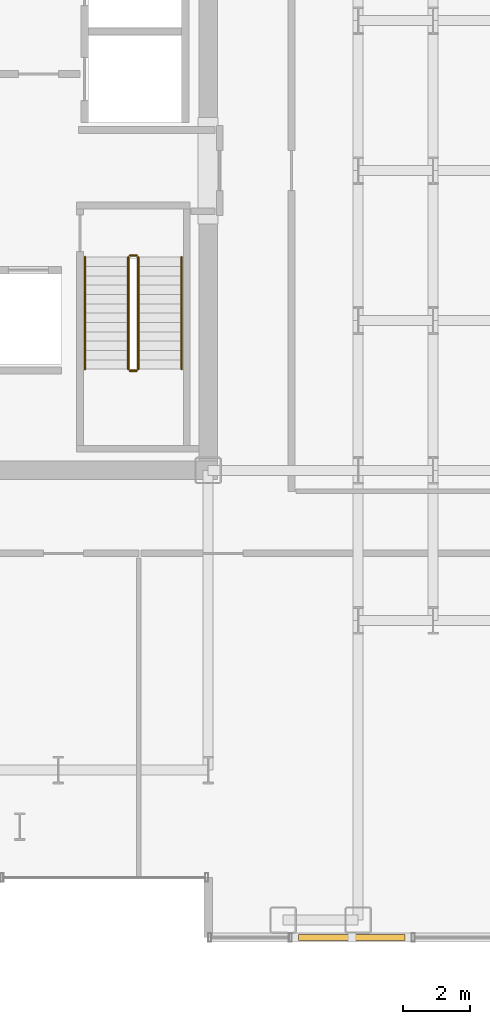
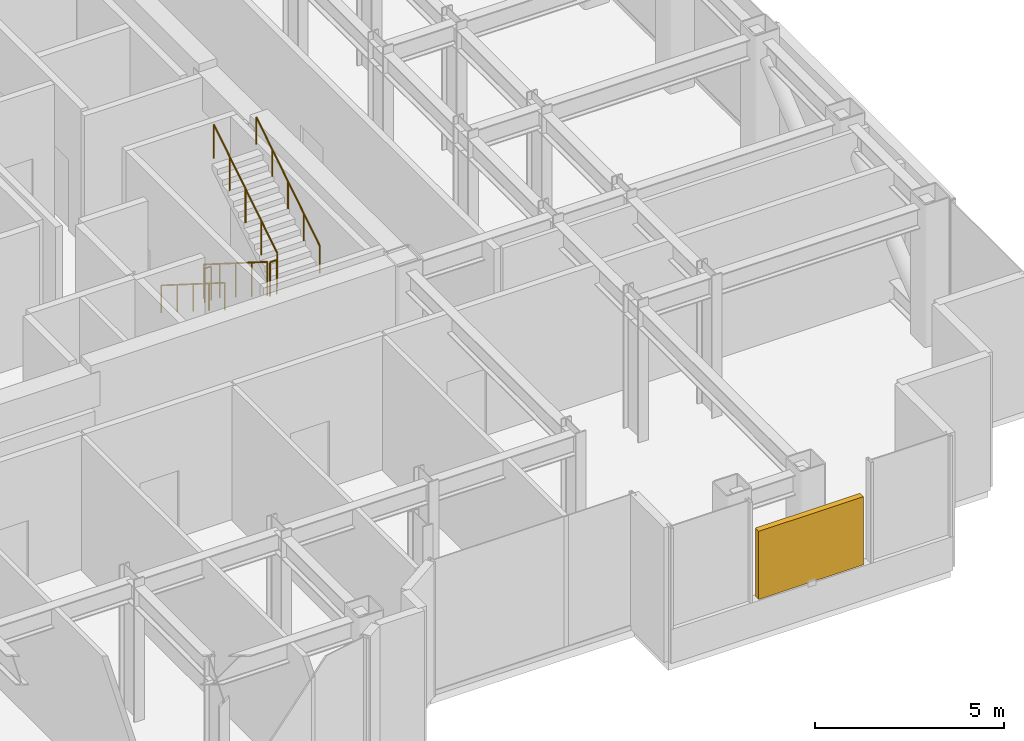
# One storey, part 25 of 26: 6 railings, 1 shading device.
"""IFC4 building model written with IfcOpenShell, lengths in metres."""

from ifc_helpers import new_model, si_unit, direction, frame, origin, origin_2d, place, context, subcontext, project, spatial, rectangle, circle, extrude, source, transform, mapped, material, type_object, element, save


model = new_model("IFC4")

# Units and contexts
model_context = context("Model", 3, precision=1e-05, world=origin(), true_north=direction((0.0, 1.0)))
body_context = subcontext(model_context, "Body", "Model", "MODEL_VIEW")
ifc_project = project(units=[si_unit("LENGTHUNIT", "METRE"), si_unit("AREAUNIT", "SQUARE_METRE"), si_unit("VOLUMEUNIT", "CUBIC_METRE"), si_unit("PLANEANGLEUNIT", "RADIAN"), si_unit("MASSUNIT", "GRAM", prefix="KILO")], contexts=[model_context])

# Site, building, storey
site_placement = place(None, origin())
site = spatial("IfcSite", under=ifc_project, at=site_placement, CompositionType="ELEMENT")
building_placement = place(site_placement, origin())
building = spatial("IfcBuilding", under=site, at=building_placement, Name="Nefas-Gora Pilgrimage Tower", CompositionType="ELEMENT")
storey_placement = place(building_placement, frame((0.0, 0.0, 202.0)))
storey = spatial("IfcBuildingStorey", under=building, at=storey_placement, Name="L50", CompositionType="ELEMENT", Elevation=202.0)

# Railings
ifc_material_1 = material(Name="Painted galvanised steel", Category="steel")
railing_type_1 = type_object("IfcRailingType", Name="RLG-STR-GUARD-1100", PredefinedType="GUARDRAIL", material=ifc_material_1)
railing_1_placement = place(storey_placement, frame((8.85009765625, -2.60009765625, 0.177001953125)))
element("IfcRailing", 1, at=railing_1_placement, inside=storey, type_object=railing_type_1, Name="L50 ST-02 stair guard 1", PredefinedType="GUARDRAIL", context=body_context, shape_type="SweptSolid", body=[
    extrude(circle(Radius=0.02392578125, at=origin_2d()), frame((0.0, 0.0, 1.09619140625), z_axis=(0.0, -0.845372108799, 0.534177870812), x_axis=(1.0, 0.0, 0.0)), (0.0, 0.0, 1.0), 3.974365234375),
    extrude(circle(Radius=0.02099609375, at=origin_2d()), origin(), (0.0, 0.0, 1.0), 1.072021484375),
    extrude(circle(Radius=0.02099609375, at=origin_2d()), frame((0.0, -0.83984375, 0.53076171875)), (0.0, 0.0, 1.0), 1.072021484375),
    extrude(circle(Radius=0.02099609375, at=origin_2d()), frame((0.0, -1.679931640625, 1.0615234375)), (0.0, 0.0, 1.0), 1.072021484375),
    extrude(circle(Radius=0.02099609375, at=origin_2d()), frame((0.0, -2.52001953125, 1.59228515625)), (0.0, 0.0, 1.0), 1.072021484375),
    extrude(circle(Radius=0.02099609375, at=origin_2d()), frame((0.0, -3.35986328125, 2.123046875)), (0.0, 0.0, 1.0), 1.072021484375),
])
railing_2_placement = place(storey_placement, frame((8.89990234375, -6.010009765625, 2.300048828125)))
element("IfcRailing", 2, at=railing_2_placement, inside=storey, type_object=railing_type_1, Name="L50 ST-02 stair guard 2", PredefinedType="GUARDRAIL", context=body_context, shape_type="SweptSolid", body=[
    extrude(circle(Radius=0.02392578125, at=origin_2d()), frame((0.0, 0.0, 1.09619140625), z_axis=(1.0, 0.0, 0.0), x_axis=(0.0, 1.0, 0.0)), (0.0, 0.0, 1.0), 0.2001953125),
    extrude(circle(Radius=0.02099609375, at=origin_2d()), origin(), (0.0, 0.0, 1.0), 1.072021484375),
    extrude(circle(Radius=0.02099609375, at=origin_2d()), frame((0.2001953125, 0.0, 0.0)), (0.0, 0.0, 1.0), 1.072021484375),
])
railing_3_placement = place(storey_placement, frame((9.14990234375, -5.9599609375, 2.476806640625)))
element("IfcRailing", 3, at=railing_3_placement, inside=storey, type_object=railing_type_1, Name="L50 ST-02 stair guard 3", PredefinedType="GUARDRAIL", context=body_context, shape_type="SweptSolid", body=[
    extrude(circle(Radius=0.02392578125, at=origin_2d()), frame((0.0, 0.0, 1.09619140625), z_axis=(0.0, 0.845344368971, 0.534221768416), x_axis=(-1.0, 0.0, 0.0)), (0.0, 0.0, 1.0), 3.974609375),
    extrude(circle(Radius=0.02099609375, at=origin_2d()), origin(), (0.0, 0.0, 1.0), 1.072021484375),
    extrude(circle(Radius=0.02099609375, at=origin_2d()), frame((0.0, 0.83984375, 0.53076171875)), (0.0, 0.0, 1.0), 1.072021484375),
    extrude(circle(Radius=0.02099609375, at=origin_2d()), frame((0.0, 1.679931640625, 1.0615234375)), (0.0, 0.0, 1.0), 1.072021484375),
    extrude(circle(Radius=0.02099609375, at=origin_2d()), frame((0.0, 2.52001953125, 1.592529296875)), (0.0, 0.0, 1.0), 1.072021484375),
    extrude(circle(Radius=0.02099609375, at=origin_2d()), frame((0.0, 3.35986328125, 2.123291015625)), (0.0, 0.0, 1.0), 1.072021484375),
])
railing_4_placement = place(storey_placement, frame((8.89990234375, -2.550048828125, 0.0)))
element("IfcRailing", 4, at=railing_4_placement, inside=storey, type_object=railing_type_1, Name="L50 ST-02 stair guard 4", PredefinedType="GUARDRAIL", context=body_context, shape_type="SweptSolid", body=[
    extrude(circle(Radius=0.02392578125, at=origin_2d()), frame((0.0, 0.0, 1.09619140625), z_axis=(1.0, 0.0, 0.0), x_axis=(0.0, 1.0, 0.0)), (0.0, 0.0, 1.0), 0.2001953125),
    extrude(circle(Radius=0.02099609375, at=origin_2d()), origin(), (0.0, 0.0, 1.0), 1.072021484375),
    extrude(circle(Radius=0.02099609375, at=origin_2d()), frame((0.2001953125, 0.0, 0.0)), (0.0, 0.0, 1.0), 1.072021484375),
])
ifc_material_2 = material(Name="Brushed stainless steel", Category="steel")
railing_type_2 = type_object("IfcRailingType", Name="RLG-STR-HAND-900", PredefinedType="HANDRAIL", material=ifc_material_2)
railing_5_placement = place(storey_placement, frame((7.550048828125, -2.60009765625, 0.177001953125)))
element("IfcRailing", 5, at=railing_5_placement, inside=storey, type_object=railing_type_2, Name="L50 ST-02 stair handrail 1", PredefinedType="HANDRAIL", context=body_context, shape_type="SweptSolid", body=[
    extrude(circle(Radius=0.02392578125, at=origin_2d()), frame((0.0, 0.0, 0.8759765625), z_axis=(0.0, -0.845372108799, 0.534177870812), x_axis=(1.0, 0.0, 0.0)), (0.0, 0.0, 1.0), 3.974365234375),
    extrude(circle(Radius=0.02099609375, at=origin_2d()), origin(), (0.0, 0.0, 1.0), 0.851806640625),
    extrude(circle(Radius=0.02099609375, at=origin_2d()), frame((0.0, -0.83984375, 0.53076171875)), (0.0, 0.0, 1.0), 0.851806640625),
    extrude(circle(Radius=0.02099609375, at=origin_2d()), frame((0.0, -1.679931640625, 1.0615234375)), (0.0, 0.0, 1.0), 0.851806640625),
    extrude(circle(Radius=0.02099609375, at=origin_2d()), frame((0.0, -2.52001953125, 1.59228515625)), (0.0, 0.0, 1.0), 0.851806640625),
    extrude(circle(Radius=0.02099609375, at=origin_2d()), frame((0.0, -3.35986328125, 2.123046875)), (0.0, 0.0, 1.0), 0.851806640625),
])
railing_6_placement = place(storey_placement, frame((10.449951171875, -5.9599609375, 2.476806640625)))
element("IfcRailing", 6, at=railing_6_placement, inside=storey, type_object=railing_type_2, Name="L50 ST-02 stair handrail 2", PredefinedType="HANDRAIL", context=body_context, shape_type="SweptSolid", body=[
    extrude(circle(Radius=0.02392578125, at=origin_2d()), frame((0.0, 0.0, 0.8759765625), z_axis=(0.0, 0.845344368971, 0.534221768416), x_axis=(-1.0, 0.0, 0.0)), (0.0, 0.0, 1.0), 3.974609375),
    extrude(circle(Radius=0.02099609375, at=origin_2d()), origin(), (0.0, 0.0, 1.0), 0.851806640625),
    extrude(circle(Radius=0.02099609375, at=origin_2d()), frame((0.0, 0.83984375, 0.53076171875)), (0.0, 0.0, 1.0), 0.851806640625),
    extrude(circle(Radius=0.02099609375, at=origin_2d()), frame((0.0, 1.679931640625, 1.0615234375)), (0.0, 0.0, 1.0), 0.851806640625),
    extrude(circle(Radius=0.02099609375, at=origin_2d()), frame((0.0, 2.52001953125, 1.592529296875)), (0.0, 0.0, 1.0), 0.851806640625),
    extrude(circle(Radius=0.02099609375, at=origin_2d()), frame((0.0, 3.35986328125, 2.123291015625)), (0.0, 0.0, 1.0), 0.851806640625),
])

# Shading device
ifc_material_3 = material(Name="Perforated dark-bronze aluminium weather screen", Category="aluminium")
shading_device_type = type_object("IfcShadingDeviceType", Name="SHD-SCREEN-SHUT", PredefinedType="SHUTTER", material=ifc_material_3)
shared_shape = source(origin(), body_context, "Body", "SweptSolid", [
    extrude(rectangle(XDim=3.199951171875, YDim=0.179931640625, at=origin_2d()), origin(), (0.0, 0.0, 1.0), 2.199951171875),
])
shading_device_placement = place(storey_placement, frame((15.56005859375, -23.02001953125, 1.10009765625), z_axis=(0.0, 0.0, 1.0), x_axis=(1.0, 0.0, 0.0)))
element("IfcShadingDevice", 7, at=shading_device_placement, inside=storey, type_object=shading_device_type, Name="L50 High-Altitude Storm Louvre Assembly 6", PredefinedType="SHUTTER", context=body_context, shape_type="MappedRepresentation", body=[
    mapped(shared_shape, transform((0.0, 0.0, 0.0), x_axis=(1.0, 0.0, 0.0), y_axis=(0.0, 1.0, 0.0), z_axis=(0.0, 0.0, 1.0), scale=1.0)),
])

save(model, "model.ifc")
